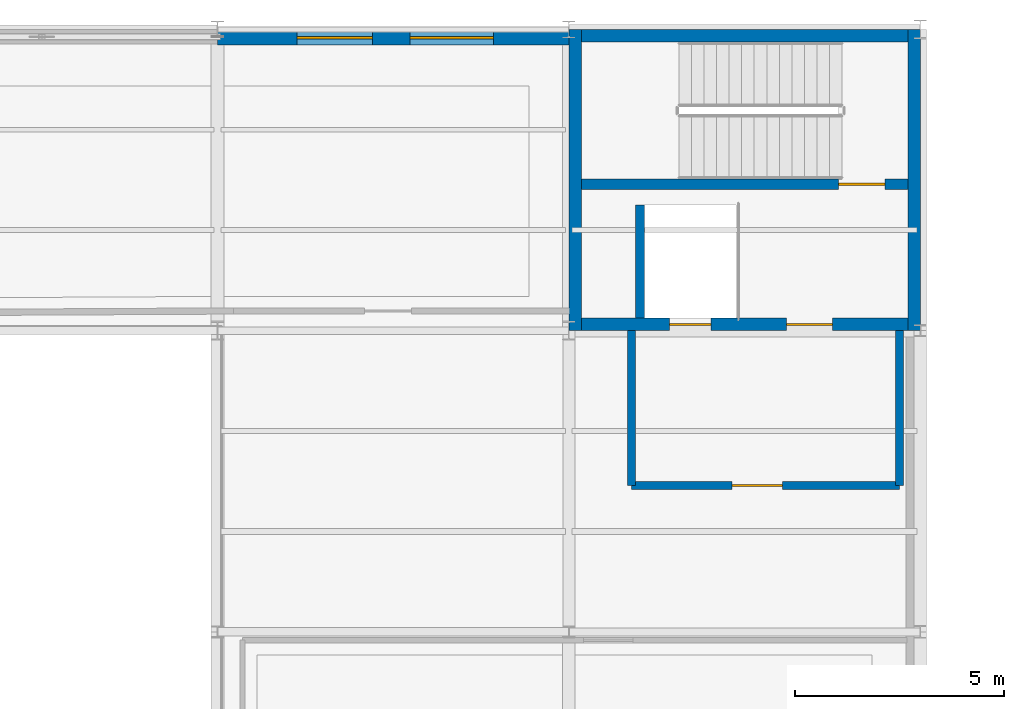
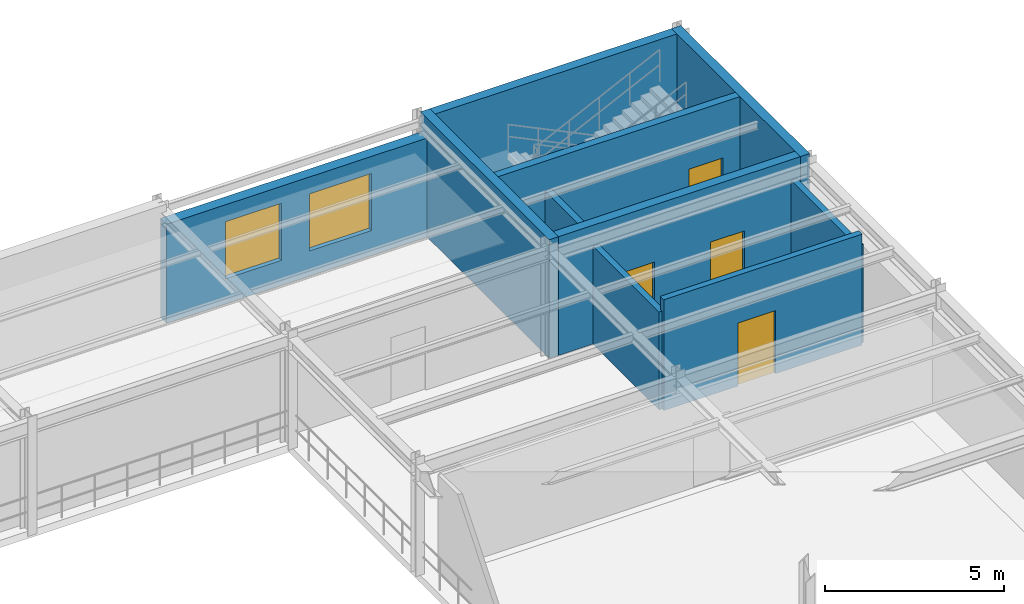
# One storey, part 59 of 70: 10 walls, 4 doors, 2 windows, 6 openings.
"""IFC4 building model written with IfcOpenShell, lengths in metres."""

from ifc_helpers import new_model, si_unit, derived_unit, direction, frame, frame_2d, origin, place, context, subcontext, project, spatial, rectangle, extrude, material, layer, layer_set, type_object, element, fill, save


model = new_model("IFC4")

# Units and contexts
model_context = context("Model", 3, precision=1e-05, world=origin(), true_north=direction((0.0, 1.0)))
body_context = subcontext(model_context, "Body", "Model", "MODEL_VIEW")
ifc_project = project(units=[si_unit("LENGTHUNIT", "METRE"), si_unit("AREAUNIT", "SQUARE_METRE"), si_unit("VOLUMEUNIT", "CUBIC_METRE"), si_unit("PLANEANGLEUNIT", "RADIAN"), si_unit("MASSUNIT", "GRAM", prefix="KILO"), derived_unit("THERMALTRANSMITTANCEUNIT", [(si_unit("POWERUNIT", "WATT"), 1), (si_unit("AREAUNIT", "SQUARE_METRE"), -1), (si_unit("THERMODYNAMICTEMPERATUREUNIT", "KELVIN"), -1)])], contexts=[model_context])

# Site, building, storey
site_placement = place(None, origin())
site = spatial("IfcSite", under=ifc_project, at=site_placement, CompositionType="ELEMENT")
building_placement = place(site_placement, origin())
building = spatial("IfcBuilding", under=site, at=building_placement, Name="Yasenodar Specialist Clinic", CompositionType="ELEMENT")
storey_placement = place(building_placement, frame((0.0, 0.0, 13.199951171875)))
storey = spatial("IfcBuildingStorey", under=building, at=storey_placement, Name="L03", CompositionType="ELEMENT", Elevation=13.199951171875)

# Wall, openings, windows
ifc_material_1 = material(Name="Buff Architectural Terracotta Rainscreen", Category="masonry")
ifc_layer_1 = layer(ifc_material_1, 0.340087890625)
ifc_layer_set_1 = layer_set([ifc_layer_1], Name="Buff Architectural Terracotta Rainscreen")
wall_type_1 = type_object("IfcWallType", Name="EW-TERR-340", PredefinedType="SOLIDWALL", material=ifc_layer_set_1)
wall_1_placement = place(storey_placement, frame((105.0, 111.39990234375, 0.0), z_axis=(0.0, 0.0, 1.0), x_axis=(1.0, 0.0, 0.0)))
wall_1 = element("IfcWall", 1, at=wall_1_placement, inside=storey, type_object=wall_type_1, Name="L03 Exterior Facade Wall 0173", PredefinedType="SOLIDWALL", context=body_context, shape_type="SweptSolid", body=[
    extrude(rectangle(XDim=8.39990234375, YDim=0.340087890625, at=frame_2d((4.199951171875, 0.0))), origin(), (0.0, 0.0, 1.0), 3.3779296875),
])
opening_1_placement = place(wall_1_placement, frame((1.89990234375, 0.0, 0.85009765625)))
opening_1 = element("IfcOpeningElement", 2, at=opening_1_placement, cuts=wall_1, Name="Opening W-05", PredefinedType="OPENING", context=body_context, shape_type="SweptSolid", body=[
    extrude(rectangle(XDim=1.800048828125, YDim=1.949951171875, at=frame_2d((0.89990234375, 0.97509765625))), frame((0.0, 0.18017578125, 0.0), z_axis=(0.0, -1.0, 0.0), x_axis=(1.0, 0.0, 0.0)), (0.0, 0.0, 1.0), 0.360107421875),
])
opening_2_placement = place(wall_1_placement, frame((4.60009765625, 0.0, 0.85009765625)))
opening_2 = element("IfcOpeningElement", 3, at=opening_2_placement, cuts=wall_1, Name="Opening W-06", PredefinedType="OPENING", context=body_context, shape_type="SweptSolid", body=[
    extrude(rectangle(XDim=2.0, YDim=1.949951171875, at=frame_2d((1.0, 0.97509765625))), frame((0.0, 0.18017578125, 0.0), z_axis=(0.0, -1.0, 0.0), x_axis=(1.0, 0.0, 0.0)), (0.0, 0.0, 1.0), 0.360107421875),
])
ifc_material_2 = material(Name="Triple Low-E Argon Glazing in Bronze Aluminium Frame", Category="aluminium")
window_type_1 = type_object("IfcWindowType", Name="WIN-EXT-05", PartitioningType="SINGLE_PANEL", PredefinedType="WINDOW", material=ifc_material_2)
window_1_placement = place(opening_1_placement, origin())
window_1 = element("IfcWindow", 4, at=window_1_placement, inside=storey, type_object=window_type_1, Name="L03 Triple-Glazed Reveal Window 0192", OverallHeight=1.949951171875, OverallWidth=1.800048828125, PartitioningType="SINGLE_PANEL", PredefinedType="WINDOW", context=body_context, shape_type="SweptSolid", body=[
    extrude(rectangle(XDim=1.800048828125, YDim=1.949951171875, at=frame_2d((0.89990234375, 0.97509765625))), frame((0.0, 0.030029296875, 0.0), z_axis=(0.0, -1.0, 0.0), x_axis=(1.0, 0.0, 0.0)), (0.0, 0.0, 1.0), 0.06005859375),
])
fill(opening_1, window_1)
window_type_2 = type_object("IfcWindowType", Name="WIN-EXT-06", PartitioningType="SINGLE_PANEL", PredefinedType="WINDOW", material=ifc_material_2)
window_2_placement = place(opening_2_placement, origin())
window_2 = element("IfcWindow", 5, at=window_2_placement, inside=storey, type_object=window_type_2, Name="L03 Triple-Glazed Reveal Window 0193", OverallHeight=1.949951171875, OverallWidth=2.0, PartitioningType="SINGLE_PANEL", PredefinedType="WINDOW", context=body_context, shape_type="SweptSolid", body=[
    extrude(rectangle(XDim=2.0, YDim=1.949951171875, at=frame_2d((1.0, 0.97509765625))), frame((0.0, 0.030029296875, 0.0), z_axis=(0.0, -1.0, 0.0), x_axis=(1.0, 0.0, 0.0)), (0.0, 0.0, 1.0), 0.06005859375),
])
fill(opening_2, window_2)

# Wall, opening, door
ifc_material_3 = material(Name="Fire-Rated Gypsum and Mineral-Wool Wall")
ifc_layer_2 = layer(ifc_material_3, 0.195068359375)
ifc_layer_set_2 = layer_set([ifc_layer_2], Name="Fire-Rated Gypsum and Mineral-Wool Wall")
wall_type_2 = type_object("IfcWallType", Name="IW-LOBBY-195", PredefinedType="PARTITIONING", material=ifc_layer_set_2)
wall_2_placement = place(storey_placement, frame((114.89990234375, 100.699951171875, 0.0), z_axis=(0.0, 0.0, 1.0), x_axis=(1.0, 0.0, 0.0)))
wall_2 = element("IfcWall", 6, at=wall_2_placement, inside=storey, type_object=wall_type_2, Name="L03 C5 Firefighting Lobby South Wall", PredefinedType="PARTITIONING", context=body_context, shape_type="SweptSolid", body=[
    extrude(rectangle(XDim=6.400146484375, YDim=0.195068359375, at=frame_2d((3.2001953125, 0.0))), origin(), (0.0, 0.0, 1.0), 3.780029296875),
])
opening_3_placement = place(wall_2_placement, frame((2.39990234375, 0.0, 0.0)))
opening_3 = element("IfcOpeningElement", 7, at=opening_3_placement, cuts=wall_2, Name="Opening FD-02", PredefinedType="OPENING", context=body_context, shape_type="SweptSolid", body=[
    extrude(rectangle(XDim=1.199951171875, YDim=2.14990234375, at=frame_2d((0.60009765625, 1.074951171875))), frame((0.0, 0.107421875, 0.0), z_axis=(0.0, -1.0, 0.0), x_axis=(1.0, 0.0, 0.0)), (0.0, 0.0, 1.0), 0.215087890625),
])
ifc_material_4 = material(Name="Fire-Rated Insulated Steel Door", Category="steel")
door_type_1 = type_object("IfcDoorType", Name="DR-FD-120", OperationType="NOTDEFINED", PredefinedType="DOOR", material=ifc_material_4)
door_1_placement = place(opening_3_placement, origin())
door_1 = element("IfcDoor", 8, at=door_1_placement, inside=storey, type_object=door_type_1, Name="L03 C5 Firefighting Lobby Door", OperationType="SINGLE_SWING_LEFT", OverallHeight=2.14990234375, OverallWidth=1.199951171875, PredefinedType="DOOR", context=body_context, shape_type="SweptSolid", body=[
    extrude(rectangle(XDim=1.199951171875, YDim=2.14990234375, at=frame_2d((0.60009765625, 1.074951171875))), frame((0.0, 0.02490234375, 0.0), z_axis=(0.0, -1.0, 0.0), x_axis=(1.0, 0.0, 0.0)), (0.0, 0.0, 1.0), 0.050048828125),
])
fill(opening_3, door_1)

# Walls
for number, where, z_axis, x_axis, name in (
    (9, (121.300048828125, 100.699951171875, 0.0), (0.0, 0.0, 1.0), (0.0, 1.0, 0.0), "L03 C5 Firefighting Lobby East Wall"),
    (10, (114.89990234375, 100.699951171875, 0.0), (0.0, 0.0, 1.0), (0.0, 1.0, 0.0), "L03 C5 Firefighting Lobby West Wall"),
):
    element("IfcWall", number, at=place(storey_placement, frame(where, z_axis=z_axis, x_axis=x_axis)), inside=storey, type_object=wall_type_2, Name=name, PredefinedType="PARTITIONING", context=body_context, shape_type="SweptSolid", body=[
        extrude(rectangle(XDim=3.699951171875, YDim=0.195068359375, at=frame_2d((1.85009765625, 0.0))), origin(), (0.0, 0.0, 1.0), 3.338134765625),
    ])
ifc_material_5 = material(Name="Aerated Concrete Blockwork Fire Shaft Wall", Category="masonry")
ifc_layer_3 = layer(ifc_material_5, 0.205078125)
ifc_layer_set_3 = layer_set([ifc_layer_3], Name="Aerated Concrete Blockwork Fire Shaft Wall")
wall_type_3 = type_object("IfcWallType", Name="IW-SHAFT-205", PredefinedType="PARTITIONING", material=ifc_layer_set_3)
wall_3_placement = place(storey_placement, frame((115.10009765625, 104.699951171875, 0.0), z_axis=(0.0, 0.0, 1.0), x_axis=(0.0, 1.0, 0.0)))
element("IfcWall", 11, at=wall_3_placement, inside=storey, type_object=wall_type_3, Name="L03 LF-08 Lift Shaft Side Wall", PredefinedType="PARTITIONING", context=body_context, shape_type="SweptSolid", body=[
    extrude(rectangle(XDim=2.699951171875, YDim=0.205078125, at=frame_2d((1.35009765625, 0.0))), origin(), (0.0, 0.0, 1.0), 3.338134765625),
])

# Wall, opening, door
ifc_material_6 = material(Name="Concrete C35/45", Category="concrete")
ifc_layer_4 = layer(ifc_material_6, 0.25)
ifc_layer_set_4 = layer_set([ifc_layer_4], Name="Concrete C35/45")
wall_type_4 = type_object("IfcWallType", Name="WL-CORE-250", PredefinedType="SHEAR", material=ifc_layer_set_4)
wall_4_placement = place(storey_placement, frame((113.699951171875, 107.89990234375, 0.0), z_axis=(0.0, 0.0, 1.0), x_axis=(1.0, 0.0, 0.0)))
wall_4 = element("IfcWall", 12, at=wall_4_placement, inside=storey, type_object=wall_type_4, Name="L03 Core C5 Central Spine Wall", PredefinedType="SHEAR", context=body_context, shape_type="SweptSolid", body=[
    extrude(rectangle(XDim=7.800048828125, YDim=0.25, at=frame_2d((3.89990234375, 0.0))), origin(), (0.0, 0.0, 1.0), 4.050048828125),
])
opening_4_placement = place(wall_4_placement, frame((6.14990234375, 0.0, 0.0)))
opening_4 = element("IfcOpeningElement", 13, at=opening_4_placement, cuts=wall_4, Name="Opening FD-01", PredefinedType="OPENING", context=body_context, shape_type="SweptSolid", body=[
    extrude(rectangle(XDim=1.10009765625, YDim=2.14990234375, at=frame_2d((0.550048828125, 1.074951171875))), frame((0.0, 0.135009765625, 0.0), z_axis=(0.0, -1.0, 0.0), x_axis=(1.0, 0.0, 0.0)), (0.0, 0.0, 1.0), 0.27001953125),
])
door_type_2 = type_object("IfcDoorType", Name="DR-FD-110", OperationType="NOTDEFINED", PredefinedType="DOOR", material=ifc_material_4)
door_2_placement = place(opening_4_placement, origin())
door_2 = element("IfcDoor", 14, at=door_2_placement, inside=storey, type_object=door_type_2, Name="L03 ST-05 Protected Stair Door", OperationType="SINGLE_SWING_LEFT", OverallHeight=2.14990234375, OverallWidth=1.10009765625, PredefinedType="DOOR", context=body_context, shape_type="SweptSolid", body=[
    extrude(rectangle(XDim=1.10009765625, YDim=2.14990234375, at=frame_2d((0.550048828125, 1.074951171875))), frame((0.0, 0.02490234375, 0.0), z_axis=(0.0, -1.0, 0.0), x_axis=(1.0, 0.0, 0.0)), (0.0, 0.0, 1.0), 0.050048828125),
])
fill(opening_4, door_2)

# Wall
ifc_layer_5 = layer(ifc_material_6, 0.300048828125)
ifc_layer_set_5 = layer_set([ifc_layer_5], Name="Concrete C35/45")
wall_type_5 = type_object("IfcWallType", Name="WL-CORE-300", PredefinedType="SHEAR", material=ifc_layer_set_5)
wall_5_placement = place(storey_placement, frame((113.39990234375, 111.449951171875, 0.0), z_axis=(0.0, 0.0, 1.0), x_axis=(1.0, 0.0, 0.0)))
element("IfcWall", 15, at=wall_5_placement, inside=storey, type_object=wall_type_5, Name="L03 Core C5 North Shear Wall", PredefinedType="SHEAR", context=body_context, shape_type="SweptSolid", body=[
    extrude(rectangle(XDim=8.400146484375, YDim=0.300048828125, at=frame_2d((4.2001953125, 0.0))), origin(), (0.0, 0.0, 1.0), 4.050048828125),
])

# Wall, openings, doors
wall_6_placement = place(storey_placement, frame((113.39990234375, 104.550048828125, 0.0), z_axis=(0.0, 0.0, 1.0), x_axis=(1.0, 0.0, 0.0)))
wall_6 = element("IfcWall", 16, at=wall_6_placement, inside=storey, type_object=wall_type_5, Name="L03 Core C5 South Shear Wall", PredefinedType="SHEAR", context=body_context, shape_type="SweptSolid", body=[
    extrude(rectangle(XDim=8.400146484375, YDim=0.300048828125, at=frame_2d((4.2001953125, 0.0))), origin(), (0.0, 0.0, 1.0), 4.050048828125),
])
opening_5_placement = place(wall_6_placement, frame((5.199951171875, 0.0, 0.0)))
opening_5 = element("IfcOpeningElement", 17, at=opening_5_placement, cuts=wall_6, Name="Opening FD-01", PredefinedType="OPENING", context=body_context, shape_type="SweptSolid", body=[
    extrude(rectangle(XDim=1.10009765625, YDim=2.14990234375, at=frame_2d((0.550048828125, 1.074951171875))), frame((0.0, 0.16015625, 0.0), z_axis=(0.0, -1.0, 0.0), x_axis=(1.0, 0.0, 0.0)), (0.0, 0.0, 1.0), 0.320068359375),
])
opening_6_placement = place(wall_6_placement, frame((2.39990234375, 0.0, 0.0)))
opening_6 = element("IfcOpeningElement", 18, at=opening_6_placement, cuts=wall_6, Name="Opening LD-01", PredefinedType="OPENING", context=body_context, shape_type="SweptSolid", body=[
    extrude(rectangle(XDim=1.0, YDim=2.10009765625, at=frame_2d((0.5, 1.050048828125))), frame((0.0, 0.16015625, 0.0), z_axis=(0.0, -1.0, 0.0), x_axis=(1.0, 0.0, 0.0)), (0.0, 0.0, 1.0), 0.320068359375),
])
door_3_placement = place(opening_5_placement, origin())
door_3 = element("IfcDoor", 19, at=door_3_placement, inside=storey, type_object=door_type_2, Name="L03 Stair ST-05 Vestibule Door", OperationType="SINGLE_SWING_RIGHT", OverallHeight=2.14990234375, OverallWidth=1.10009765625, PredefinedType="DOOR", context=body_context, shape_type="SweptSolid", body=[
    extrude(rectangle(XDim=1.10009765625, YDim=2.14990234375, at=frame_2d((0.550048828125, 1.074951171875))), frame((0.0, 0.02490234375, 0.0), z_axis=(0.0, -1.0, 0.0), x_axis=(1.0, 0.0, 0.0)), (0.0, 0.0, 1.0), 0.050048828125),
])
fill(opening_5, door_3)
door_type_3 = type_object("IfcDoorType", Name="DR-LD-100", OperationType="DOUBLE_DOOR_SLIDING", PredefinedType="DOOR", material=ifc_material_4)
door_4_placement = place(opening_6_placement, origin())
door_4 = element("IfcDoor", 20, at=door_4_placement, inside=storey, type_object=door_type_3, Name="L03 LF-08 Lift Landing Door", OperationType="DOUBLE_DOOR_SLIDING", OverallHeight=2.10009765625, OverallWidth=1.0, PredefinedType="DOOR", context=body_context, shape_type="SweptSolid", body=[
    extrude(rectangle(XDim=1.0, YDim=2.10009765625, at=frame_2d((0.5, 1.050048828125))), frame((0.0, 0.02490234375, 0.0), z_axis=(0.0, -1.0, 0.0), x_axis=(1.0, 0.0, 0.0)), (0.0, 0.0, 1.0), 0.050048828125),
])
fill(opening_6, door_4)

# Walls
for number, where, z_axis, x_axis, name in (
    (21, (113.550048828125, 104.39990234375, 0.0), (0.0, 0.0, 1.0), (0.0, 1.0, 0.0), "L03 Core C5 West Shear Wall"),
    (22, (121.64990234375, 111.60009765625, 0.0), (0.0, 0.0, 1.0), (0.0, -1.0, 0.0), "L03 Core C5 East Shear Wall"),
):
    element("IfcWall", number, at=place(storey_placement, frame(where, z_axis=z_axis, x_axis=x_axis)), inside=storey, type_object=wall_type_5, Name=name, PredefinedType="SHEAR", context=body_context, shape_type="SweptSolid", body=[
        extrude(rectangle(XDim=7.2001953125, YDim=0.300048828125, at=frame_2d((3.60009765625, 0.0))), origin(), (0.0, 0.0, 1.0), 4.050048828125),
    ])

save(model, "model.ifc")
